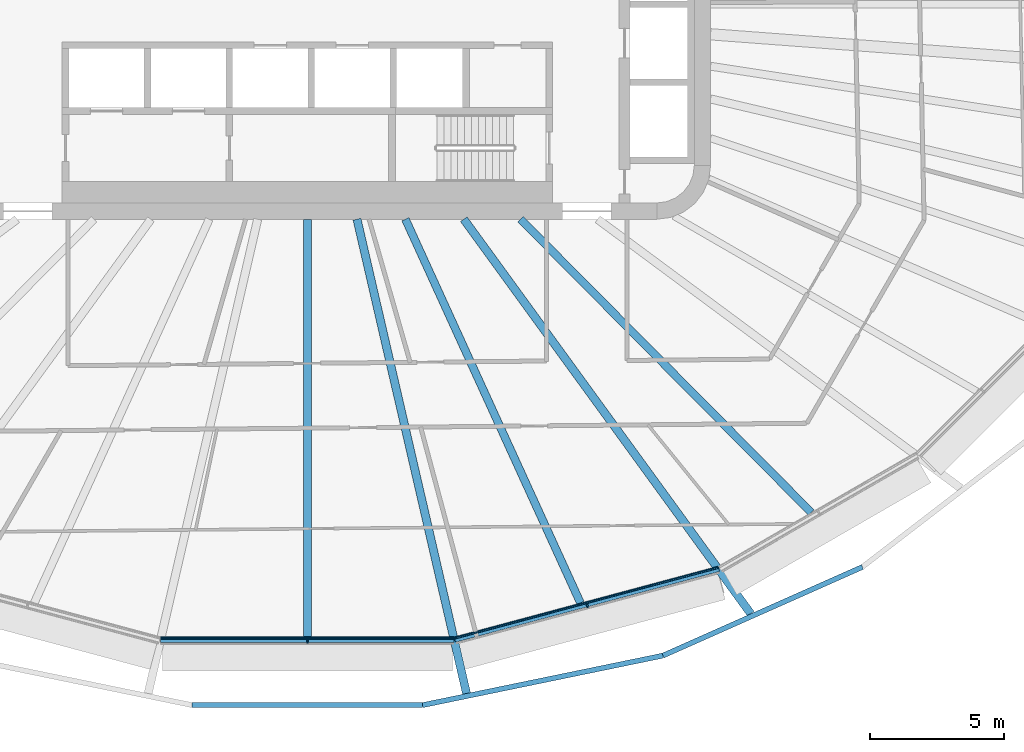
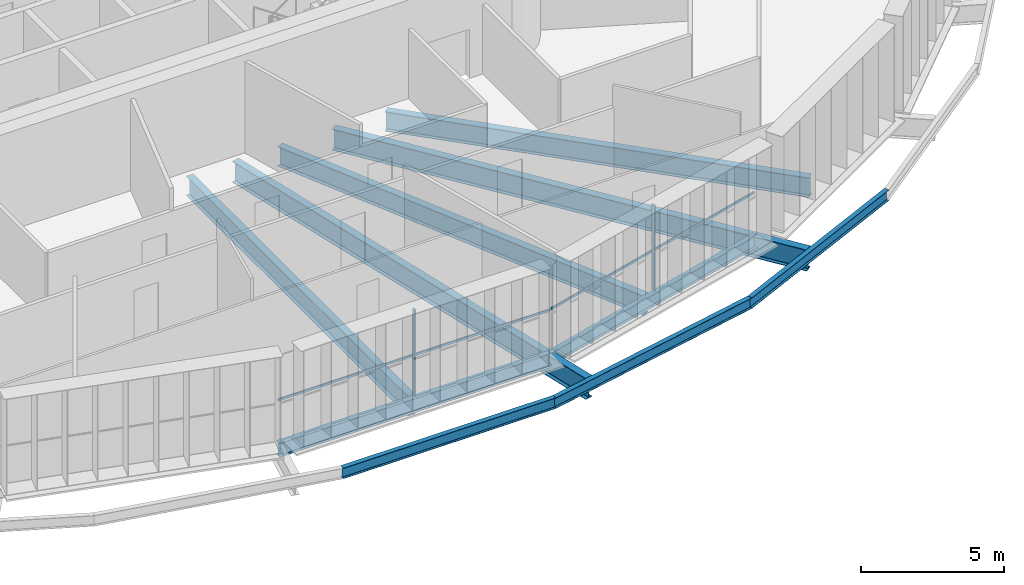
# One storey, part 4 of 26: 10 beams, 4 members, 2 elements without a shape of their own.
"""IFC4 building model written with IfcOpenShell, lengths in metres."""

from ifc_helpers import new_model, si_unit, direction, frame, origin, origin_2d, place, context, subcontext, project, spatial, rectangle, i_section, extrude, material, layer, layer_set, material_profile, profile_set, type_object, element, aggregate, save


model = new_model("IFC4")

# Units and contexts
model_context = context("Model", 3, precision=1e-05, world=origin(), true_north=direction((0.0, 1.0)))
body_context = subcontext(model_context, "Body", "Model", "MODEL_VIEW")
ifc_project = project(units=[si_unit("LENGTHUNIT", "METRE"), si_unit("AREAUNIT", "SQUARE_METRE"), si_unit("VOLUMEUNIT", "CUBIC_METRE"), si_unit("PLANEANGLEUNIT", "RADIAN"), si_unit("MASSUNIT", "GRAM", prefix="KILO")], contexts=[model_context])

# Site, building, storey
site_placement = place(None, origin())
site = spatial("IfcSite", under=ifc_project, at=site_placement, CompositionType="ELEMENT")
building_placement = place(site_placement, origin())
building = spatial("IfcBuilding", under=site, at=building_placement, Name="Sahrelin Media Tower", CompositionType="ELEMENT")
storey_placement = place(building_placement, frame((0.0, 0.0, 88.199951171875)))
storey = spatial("IfcBuildingStorey", under=building, at=storey_placement, Name="L16", CompositionType="ELEMENT", Elevation=88.199951171875)

# Beams
ifc_material_1 = material(Name="Steel S355", Category="steel")
ifc_material_profile_1 = material_profile(ifc_material_1, i_section(OverallWidth=0.208740234375, OverallDepth=0.5283203125, WebThickness=0.009521484375, FlangeThickness=0.01318359375, FilletRadius=0.0126953125, at=origin_2d()), Name="UB 533x210x82")
ifc_profile_set_1 = profile_set([ifc_material_profile_1], Name="Steel S355")
beam_type_1 = type_object("IfcBeamType", Name="Edge beam EB6", PredefinedType="BEAM", material=ifc_profile_set_1)
beam_1_placement = place(storey_placement, frame((15.306396484375, -21.001708984375, -0.4140625), z_axis=(-0.965923284876, -0.258828529599, 0.0), x_axis=(0.258828529599, -0.965923284876, 0.0)))
element("IfcBeam", 1, at=beam_1_placement, inside=storey, type_object=beam_type_1, Name="Edge beam L16-06", PredefinedType="BEAM", context=body_context, shape_type="SweptSolid", body=[
    extrude(i_section(OverallWidth=0.208740234375, OverallDepth=0.5283203125, WebThickness=0.009521484375, FlangeThickness=0.01318359375, FilletRadius=0.0126953125, at=origin_2d()), origin(), (0.0, 0.0, 1.0), 10.16455078125),
])
ifc_material_profile_2 = material_profile(ifc_material_1, i_section(OverallWidth=0.2275390625, OverallDepth=0.6025390625, WebThickness=0.010498046875, FlangeThickness=0.014892578125, FilletRadius=0.0126953125, at=origin_2d()), Name="UB 610x229x101")
ifc_profile_set_2 = profile_set([ifc_material_profile_2], Name="Steel S355")
beam_type_2 = type_object("IfcBeamType", Name="Edge beam EB7", PredefinedType="BEAM", material=ifc_profile_set_2)
beam_2_placement = place(storey_placement, frame((5.459716796875, -23.63623046875, -0.451171875), z_axis=(-1.0, 0.0, 0.0), x_axis=(0.0, -1.0, 0.0)))
element("IfcBeam", 2, at=beam_2_placement, inside=storey, type_object=beam_type_2, Name="Edge beam L16-07", PredefinedType="BEAM", context=body_context, shape_type="SweptSolid", body=[
    extrude(i_section(OverallWidth=0.2275390625, OverallDepth=0.6025390625, WebThickness=0.010498046875, FlangeThickness=0.014892578125, FilletRadius=0.0126953125, at=origin_2d()), origin(), (0.0, 0.0, 1.0), 10.91943359375),
])

# Curtain wall, member
ifc_material_2 = material(Name="Champagne anodised aluminium 6063-T6", Category="aluminium")
ifc_layer = layer(ifc_material_2, 0.14990234375)
ifc_layer_set = layer_set([ifc_layer], Name="Tower ribbon curtain wall")
curtain_wall_type = type_object("IfcCurtainWallType", Name="Tower ribbon curtain wall", PredefinedType="NOTDEFINED", material=ifc_layer_set)
curtain_wall_1_placement = place(storey_placement, frame((0.0, -23.786376953125, 0.0), z_axis=(0.0, 0.0, 1.0), x_axis=(1.0, 0.0, 0.0)))
curtain_wall_1 = element("IfcCurtainWall", 3, at=curtain_wall_1_placement, inside=storey, type_object=curtain_wall_type, Name="L16:CW:L16-18", PredefinedType="NOTDEFINED")
ifc_material_profile_3 = material_profile(ifc_material_2, rectangle(XDim=0.06005859375, YDim=0.14990234375, at=origin_2d()), Name="Mullion 60x150")
ifc_profile_set_3 = profile_set([ifc_material_profile_3], Name="Champagne anodised aluminium 6063-T6")
member_type_1 = type_object("IfcMemberType", Name="Mullion 60x150 CW1", PredefinedType="MULLION", material=ifc_profile_set_3)
member_1_placement = place(storey_placement, frame((0.0, -23.69140625, 0.0), z_axis=(0.0, 0.0, 1.0), x_axis=(1.0, 0.0, 0.0)))
member_1 = element("IfcMember", 4, at=member_1_placement, type_object=member_type_1, Name="L16:CWM:L16-18", PredefinedType="MULLION", context=body_context, shape_type="SweptSolid", body=[
    extrude(rectangle(XDim=0.06005859375, YDim=0.14990234375, at=origin_2d()), origin(), (0.0, 0.0, 1.0), 3.648681640625),
])

curtain_wall_2_placement = place(storey_placement, frame((10.436279296875, -22.462158203125, 0.0), z_axis=(0.0, 0.0, 1.0), x_axis=(1.0, 0.0, 0.0)))
curtain_wall_2 = element("IfcCurtainWall", 5, at=curtain_wall_2_placement, inside=storey, type_object=curtain_wall_type, Name="L16:CW:L16-19", PredefinedType="NOTDEFINED")
member_2_placement = place(storey_placement, frame((10.41162109375, -22.370361328125, 0.0), z_axis=(0.0, 0.0, 1.0), x_axis=(0.965926278012, 0.258817359244, 0.0)))
member_2 = element("IfcMember", 6, at=member_2_placement, type_object=member_type_1, Name="L16:CWM:L16-19", PredefinedType="MULLION", context=body_context, shape_type="SweptSolid", body=[
    extrude(rectangle(XDim=0.06005859375, YDim=0.14990234375, at=origin_2d()), origin(), (0.0, 0.0, 1.0), 3.648681640625),
])

# Beams
ifc_material_profile_4 = material_profile(ifc_material_1, i_section(OverallWidth=0.30322265625, OverallDepth=0.903076171875, WebThickness=0.01513671875, FlangeThickness=0.020263671875, FilletRadius=0.01904296875, at=origin_2d()), Name="UB 914x305x201")
ifc_profile_set_4 = profile_set([ifc_material_profile_4], Name="Steel S355")
beam_type_3 = type_object("IfcBeamType", Name="Radial primary beam PB11", PredefinedType="BEAM", material=ifc_profile_set_4)
beam_3_placement = place(storey_placement, frame((1.847900390625, -8.0, -0.6015625), z_axis=(0.225045636479, -0.974348223944, 0.0), x_axis=(0.974348223944, 0.225045636479, 0.0)))
element("IfcBeam", 7, at=beam_3_placement, inside=storey, type_object=beam_type_3, Name="Radial beam L16-19", PredefinedType="BEAM", context=body_context, shape_type="SweptSolid", body=[
    extrude(i_section(OverallWidth=0.30322265625, OverallDepth=0.903076171875, WebThickness=0.01513671875, FlangeThickness=0.020263671875, FilletRadius=0.01904296875, at=origin_2d()), origin(), (0.0, 0.0, 1.0), 18.10498046875),
])
beam_4_placement = place(storey_placement, frame((5.8203125, -8.0, -0.6015625), z_axis=(0.588306872488, -0.808637758075, 0.0), x_axis=(0.808637758075, 0.588306872488, 0.0)))
element("IfcBeam", 8, at=beam_4_placement, inside=storey, type_object=beam_type_3, Name="Radial beam L16-20", PredefinedType="BEAM", context=body_context, shape_type="SweptSolid", body=[
    extrude(i_section(OverallWidth=0.30322265625, OverallDepth=0.903076171875, WebThickness=0.01513671875, FlangeThickness=0.020263671875, FilletRadius=0.01904296875, at=origin_2d()), origin(), (0.0, 0.0, 1.0), 18.14794921875),
])
ifc_material_profile_5 = material_profile(ifc_material_1, i_section(OverallWidth=0.291748046875, OverallDepth=0.8349609375, WebThickness=0.013916015625, FlangeThickness=0.018798828125, FilletRadius=0.017822265625, at=origin_2d()), Name="UB 838x292x176")
ifc_profile_set_5 = profile_set([ifc_material_profile_5], Name="Steel S355")
beam_type_4 = type_object("IfcBeamType", Name="Radial secondary beam SB10", PredefinedType="BEAM", material=ifc_profile_set_5)
beam_5_placement = place(storey_placement, frame((0.0, -8.0, -0.5673828125), z_axis=(0.0, -1.0, 0.0), x_axis=(1.0, 0.0, 0.0)))
element("IfcBeam", 9, at=beam_5_placement, inside=storey, type_object=beam_type_4, Name="Secondary beam L16-18", PredefinedType="BEAM", context=body_context, shape_type="SweptSolid", body=[
    extrude(i_section(OverallWidth=0.291748046875, OverallDepth=0.8349609375, WebThickness=0.013916015625, FlangeThickness=0.018798828125, FilletRadius=0.017822265625, at=origin_2d()), origin(), (0.0, 0.0, 1.0), 15.5224609375),
])
beam_6_placement = place(storey_placement, frame((3.6494140625, -8.0, -0.5673828125), z_axis=(0.415038402282, -0.909803893502, 0.0), x_axis=(0.909803893502, 0.415038402282, 0.0)))
element("IfcBeam", 10, at=beam_6_placement, inside=storey, type_object=beam_type_4, Name="Secondary beam L16-19", PredefinedType="BEAM", context=body_context, shape_type="SweptSolid", body=[
    extrude(i_section(OverallWidth=0.291748046875, OverallDepth=0.8349609375, WebThickness=0.013916015625, FlangeThickness=0.018798828125, FilletRadius=0.017822265625, at=origin_2d()), origin(), (0.0, 0.0, 1.0), 15.687744140625),
])
beam_7_placement = place(storey_placement, frame((7.93115234375, -8.0, -0.5673828125), z_axis=(0.704056941584, -0.710143522823, 0.0), x_axis=(0.710143522823, 0.704056941584, 0.0)))
element("IfcBeam", 11, at=beam_7_placement, inside=storey, type_object=beam_type_4, Name="Secondary beam L16-20", PredefinedType="BEAM", context=body_context, shape_type="SweptSolid", body=[
    extrude(i_section(OverallWidth=0.291748046875, OverallDepth=0.8349609375, WebThickness=0.013916015625, FlangeThickness=0.018798828125, FilletRadius=0.017822265625, at=origin_2d()), origin(), (0.0, 0.0, 1.0), 15.362548828125),
])
ifc_material_profile_6 = material_profile(ifc_material_1, i_section(OverallWidth=0.1904296875, OverallDepth=0.45703125, WebThickness=0.009033203125, FlangeThickness=0.014404296875, FilletRadius=0.01025390625, at=origin_2d()), Name="UB 457x191x74")
ifc_profile_set_6 = profile_set([ifc_material_profile_6], Name="Steel S355")
beam_type_5 = type_object("IfcBeamType", Name="Tie chord TC5", PredefinedType="BEAM", material=ifc_profile_set_6)
beam_8_placement = place(storey_placement, frame((-4.281982421875, -26.076171875, -0.37841796875), z_axis=(1.0, 0.0, 0.0), x_axis=(0.0, 1.0, 0.0)))
element("IfcBeam", 12, at=beam_8_placement, inside=storey, type_object=beam_type_5, Name="Tie chord L16-18", PredefinedType="BEAM", context=body_context, shape_type="SweptSolid", body=[
    extrude(i_section(OverallWidth=0.1904296875, OverallDepth=0.45703125, WebThickness=0.009033203125, FlangeThickness=0.014404296875, FilletRadius=0.01025390625, at=origin_2d()), origin(), (0.0, 0.0, 1.0), 8.56396484375),
])
beam_9_placement = place(storey_placement, frame((4.281982421875, -26.076171875, -0.37841796875), z_axis=(0.979391646245, 0.201970302932, 0.0), x_axis=(-0.201970302932, 0.979391646245, 0.0)))
element("IfcBeam", 13, at=beam_9_placement, inside=storey, type_object=beam_type_5, Name="Tie chord L16-19", PredefinedType="BEAM", context=body_context, shape_type="SweptSolid", body=[
    extrude(i_section(OverallWidth=0.1904296875, OverallDepth=0.45703125, WebThickness=0.009033203125, FlangeThickness=0.014404296875, FilletRadius=0.01025390625, at=origin_2d()), origin(), (0.0, 0.0, 1.0), 9.13720703125),
])
beam_10_placement = place(storey_placement, frame((13.23095703125, -24.230712890625, -0.37841796875), z_axis=(0.913831394802, 0.406093809205, 0.0), x_axis=(-0.406093809205, 0.913831394802, 0.0)))
element("IfcBeam", 14, at=beam_10_placement, inside=storey, type_object=beam_type_5, Name="Tie chord L16-20", PredefinedType="BEAM", context=body_context, shape_type="SweptSolid", body=[
    extrude(i_section(OverallWidth=0.1904296875, OverallDepth=0.45703125, WebThickness=0.009033203125, FlangeThickness=0.014404296875, FilletRadius=0.01025390625, at=origin_2d()), origin(), (0.0, 0.0, 1.0), 8.1162109375),
])

# Member
ifc_material_profile_7 = material_profile(ifc_material_2, rectangle(XDim=0.050048828125, YDim=0.10009765625, at=origin_2d()), Name="Transom 50x100")
ifc_profile_set_7 = profile_set([ifc_material_profile_7], Name="Champagne anodised aluminium 6063-T6")
member_type_2 = type_object("IfcMemberType", Name="Transom 50x100 CW1", PredefinedType="USERDEFINED", material=ifc_profile_set_7)
member_3_placement = place(storey_placement, frame((-5.444091796875, -23.59130859375, 1.60009765625), z_axis=(1.0, 0.0, 0.0), x_axis=(0.0, 1.0, 0.0)))
member_3 = element("IfcMember", 15, at=member_3_placement, type_object=member_type_2, Name="L16:CWT:L16-18", ObjectType="TRANSOM", PredefinedType="USERDEFINED", context=body_context, shape_type="SweptSolid", body=[
    extrude(rectangle(XDim=0.050048828125, YDim=0.10009765625, at=origin_2d()), origin(), (0.0, 0.0, 1.0), 10.88818359375),
])

aggregate(curtain_wall_1, [member_1, member_3])

member_4_placement = place(storey_placement, frame((5.49169921875, -23.5849609375, 1.60009765625), z_axis=(0.965927940896, 0.258811153154, 0.0), x_axis=(-0.258811153154, 0.965927940896, 0.0)))
member_4 = element("IfcMember", 16, at=member_4_placement, type_object=member_type_2, Name="L16:CWT:L16-19", ObjectType="TRANSOM", PredefinedType="USERDEFINED", context=body_context, shape_type="SweptSolid", body=[
    extrude(rectangle(XDim=0.050048828125, YDim=0.10009765625, at=origin_2d()), origin(), (0.0, 0.0, 1.0), 10.133056640625),
])

aggregate(curtain_wall_2, [member_2, member_4])

save(model, "model.ifc")
